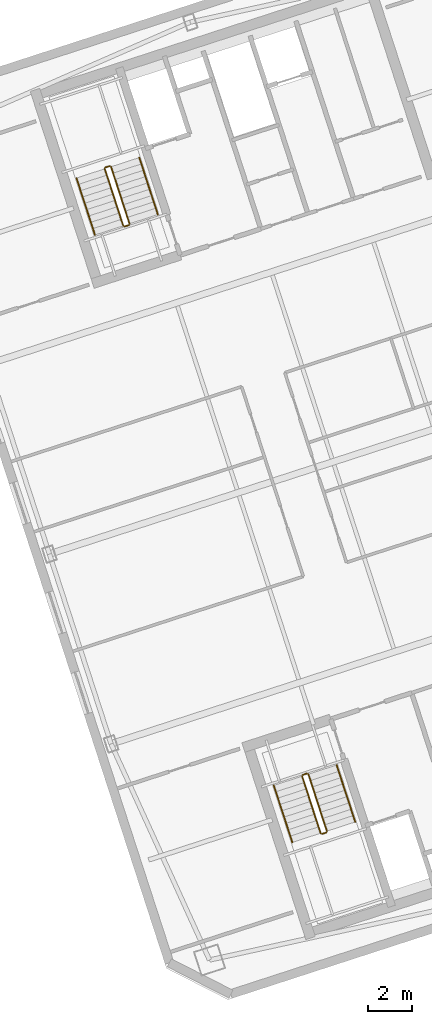
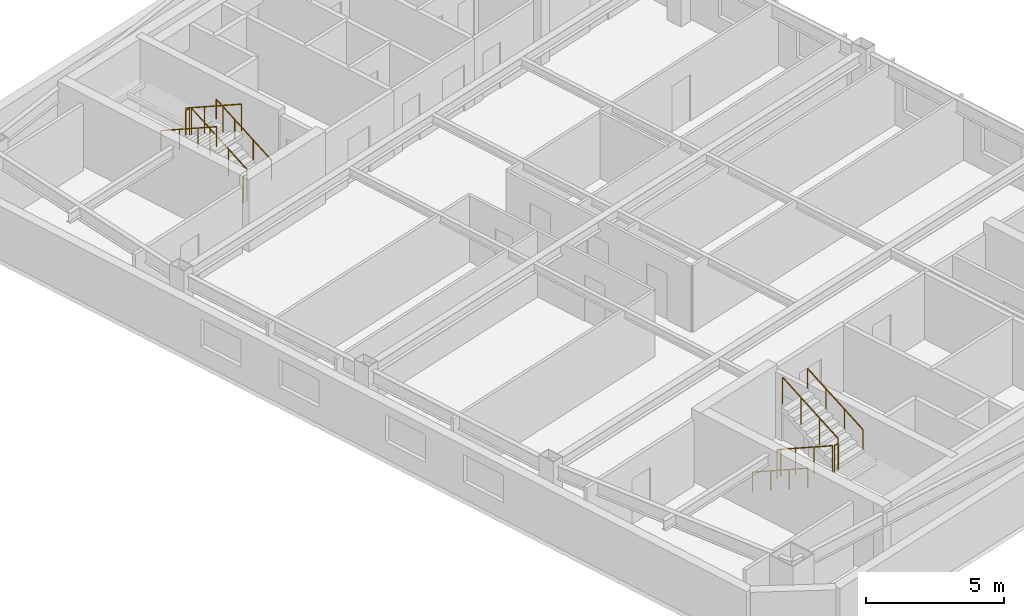
# One storey, part 13 of 13: 12 railings.
"""IFC4 building model written with IfcOpenShell, lengths in metres."""

from ifc_helpers import new_model, si_unit, direction, frame, origin, origin_2d, place, context, subcontext, project, spatial, circle, extrude, material, type_object, element, save


model = new_model("IFC4")

# Units and contexts
model_context = context("Model", 3, precision=1e-05, world=origin(), true_north=direction((0.0, 1.0)))
body_context = subcontext(model_context, "Body", "Model", "MODEL_VIEW")
ifc_project = project(units=[si_unit("LENGTHUNIT", "METRE"), si_unit("AREAUNIT", "SQUARE_METRE"), si_unit("VOLUMEUNIT", "CUBIC_METRE"), si_unit("PLANEANGLEUNIT", "RADIAN"), si_unit("MASSUNIT", "GRAM", prefix="KILO")], contexts=[model_context])

# Site, building, storey
site_placement = place(None, origin())
site = spatial("IfcSite", under=ifc_project, at=site_placement, CompositionType="ELEMENT")
building_placement = place(site_placement, origin())
building = spatial("IfcBuilding", under=site, at=building_placement, Name="Qiaolan Cultural Towers", CompositionType="ELEMENT")
storey_placement = place(building_placement, frame((0.0, 0.0, 234.39990234375)))
storey = spatial("IfcBuildingStorey", under=building, at=storey_placement, Name="L63", CompositionType="ELEMENT", Elevation=234.39990234375)

# Railings
ifc_material_1 = material(Name="Galvanized Painted Steel Stair Guardrail", Category="steel")
railing_type_1 = type_object("IfcRailingType", Name="RL-STAIR-GRD", PredefinedType="GUARDRAIL", material=ifc_material_1)
railing_1_placement = place(storey_placement, frame((88.60205078125, 19.82421875, 0.16015625)))
element("IfcRailing", 1, at=railing_1_placement, inside=storey, type_object=railing_type_1, Name="L63 ST-E1 stair guard 1", PredefinedType="GUARDRAIL", context=body_context, shape_type="SweptSolid", body=[
    extrude(circle(Radius=0.02392578125, at=origin_2d()), frame((0.0, 0.0, 1.17578125), z_axis=(0.272701475514, -0.839167384275, 0.470565623926), x_axis=(0.951043371037, 0.309057448393, 0.0)), (0.0, 0.0, 1.0), 3.06005859375),
    extrude(circle(Radius=0.02099609375, at=origin_2d()), origin(), (0.0, 0.0, 1.0), 1.15185546875),
    extrude(circle(Radius=0.02099609375, at=origin_2d()), frame((0.278076171875, -0.85595703125, 0.47998046875)), (0.0, 0.0, 1.0), 1.15185546875),
    extrude(circle(Radius=0.02099609375, at=origin_2d()), frame((0.556396484375, -1.7119140625, 0.9599609375)), (0.0, 0.0, 1.0), 1.15185546875),
    extrude(circle(Radius=0.02099609375, at=origin_2d()), frame((0.83447265625, -2.56787109375, 1.43994140625)), (0.0, 0.0, 1.0), 1.15185546875),
])
railing_2_placement = place(storey_placement, frame((89.49951171875, 17.224365234375, 1.60009765625)))
element("IfcRailing", 2, at=railing_2_placement, inside=storey, type_object=railing_type_1, Name="L63 ST-E1 stair guard 2", PredefinedType="GUARDRAIL", context=body_context, shape_type="SweptSolid", body=[
    extrude(circle(Radius=0.02392578125, at=origin_2d()), frame((0.0, 0.0, 1.17578125), z_axis=(0.951096855055, 0.308892816854, 0.0), x_axis=(-0.308892816854, 0.951096855055, 0.0)), (0.0, 0.0, 1.0), 0.199951171875),
    extrude(circle(Radius=0.02099609375, at=origin_2d()), origin(), (0.0, 0.0, 1.0), 1.15185546875),
    extrude(circle(Radius=0.02099609375, at=origin_2d()), frame((0.190185546875, 0.061767578125, 0.0)), (0.0, 0.0, 1.0), 1.15185546875),
])
railing_3_placement = place(storey_placement, frame((89.721923828125, 17.34912109375, 1.760009765625)))
element("IfcRailing", 3, at=railing_3_placement, inside=storey, type_object=railing_type_1, Name="L63 ST-E1 stair guard 3", PredefinedType="GUARDRAIL", context=body_context, shape_type="SweptSolid", body=[
    extrude(circle(Radius=0.02392578125, at=origin_2d()), frame((0.0, 0.0, 1.17578125), z_axis=(-0.272691237034, 0.839135878035, 0.470627737643), x_axis=(-0.951043371037, -0.309057448393, 0.0)), (0.0, 0.0, 1.0), 3.06005859375),
    extrude(circle(Radius=0.02099609375, at=origin_2d()), origin(), (0.0, 0.0, 1.0), 1.15185546875),
    extrude(circle(Radius=0.02099609375, at=origin_2d()), frame((-0.278076171875, 0.85595703125, 0.47998046875)), (0.0, 0.0, 1.0), 1.15185546875),
    extrude(circle(Radius=0.02099609375, at=origin_2d()), frame((-0.556396484375, 1.7119140625, 0.960205078125)), (0.0, 0.0, 1.0), 1.15185546875),
    extrude(circle(Radius=0.02099609375, at=origin_2d()), frame((-0.83447265625, 2.56787109375, 1.440185546875)), (0.0, 0.0, 1.0), 1.15185546875),
])
railing_4_placement = place(storey_placement, frame((88.63427734375, 19.88720703125, 0.0)))
element("IfcRailing", 4, at=railing_4_placement, inside=storey, type_object=railing_type_1, Name="L63 ST-E1 stair guard 4", PredefinedType="GUARDRAIL", context=body_context, shape_type="SweptSolid", body=[
    extrude(circle(Radius=0.02392578125, at=origin_2d()), frame((0.0, 0.0, 1.17578125), z_axis=(0.951096855055, 0.308892816854, 0.0), x_axis=(-0.308892816854, 0.951096855055, 0.0)), (0.0, 0.0, 1.0), 0.199951171875),
    extrude(circle(Radius=0.02099609375, at=origin_2d()), origin(), (0.0, 0.0, 1.0), 1.15185546875),
    extrude(circle(Radius=0.02099609375, at=origin_2d()), frame((0.190185546875, 0.061767578125, 0.0)), (0.0, 0.0, 1.0), 1.15185546875),
])
railing_5_placement = place(storey_placement, frame((80.822021484375, 44.739501953125, 0.16015625)))
element("IfcRailing", 5, at=railing_5_placement, inside=storey, type_object=railing_type_1, Name="L63 ST-E2 stair guard 1", PredefinedType="GUARDRAIL", context=body_context, shape_type="SweptSolid", body=[
    extrude(circle(Radius=0.02392578125, at=origin_2d()), frame((0.0, 0.0, 1.17578125), z_axis=(-0.272627622392, 0.839185640129, 0.470575860951), x_axis=(-0.951069945308, -0.308975661068, 0.0)), (0.0, 0.0, 1.0), 3.06005859375),
    extrude(circle(Radius=0.02099609375, at=origin_2d()), origin(), (0.0, 0.0, 1.0), 1.15185546875),
    extrude(circle(Radius=0.02099609375, at=origin_2d()), frame((-0.278076171875, 0.85595703125, 0.47998046875)), (0.0, 0.0, 1.0), 1.15185546875),
    extrude(circle(Radius=0.02099609375, at=origin_2d()), frame((-0.55615234375, 1.7119140625, 0.9599609375)), (0.0, 0.0, 1.0), 1.15185546875),
    extrude(circle(Radius=0.02099609375, at=origin_2d()), frame((-0.834228515625, 2.56787109375, 1.43994140625)), (0.0, 0.0, 1.0), 1.15185546875),
])
railing_6_placement = place(storey_placement, frame((79.9248046875, 47.33935546875, 1.60009765625)))
element("IfcRailing", 6, at=railing_6_placement, inside=storey, type_object=railing_type_1, Name="L63 ST-E2 stair guard 2", PredefinedType="GUARDRAIL", context=body_context, shape_type="SweptSolid", body=[
    extrude(circle(Radius=0.02392578125, at=origin_2d()), frame((0.0, 0.0, 1.17578125), z_axis=(-0.951096855055, -0.308892816854, 0.0), x_axis=(0.308892816854, -0.951096855055, 0.0)), (0.0, 0.0, 1.0), 0.199951171875),
    extrude(circle(Radius=0.02099609375, at=origin_2d()), origin(), (0.0, 0.0, 1.0), 1.15185546875),
    extrude(circle(Radius=0.02099609375, at=origin_2d()), frame((-0.190185546875, -0.061767578125, 0.0)), (0.0, 0.0, 1.0), 1.15185546875),
])
railing_7_placement = place(storey_placement, frame((79.702392578125, 47.214599609375, 1.760009765625)))
element("IfcRailing", 7, at=railing_7_placement, inside=storey, type_object=railing_type_1, Name="L63 ST-E2 stair guard 3", PredefinedType="GUARDRAIL", context=body_context, shape_type="SweptSolid", body=[
    extrude(circle(Radius=0.02392578125, at=origin_2d()), frame((0.0, 0.0, 1.17578125), z_axis=(0.272691237034, -0.839135878035, 0.470627737643), x_axis=(0.951043371037, 0.309057448393, 0.0)), (0.0, 0.0, 1.0), 3.06005859375),
    extrude(circle(Radius=0.02099609375, at=origin_2d()), origin(), (0.0, 0.0, 1.0), 1.15185546875),
    extrude(circle(Radius=0.02099609375, at=origin_2d()), frame((0.278076171875, -0.85595703125, 0.47998046875)), (0.0, 0.0, 1.0), 1.15185546875),
    extrude(circle(Radius=0.02099609375, at=origin_2d()), frame((0.556396484375, -1.7119140625, 0.960205078125)), (0.0, 0.0, 1.0), 1.15185546875),
    extrude(circle(Radius=0.02099609375, at=origin_2d()), frame((0.83447265625, -2.56787109375, 1.440185546875)), (0.0, 0.0, 1.0), 1.15185546875),
])
railing_8_placement = place(storey_placement, frame((80.7900390625, 44.676513671875, 0.0)))
element("IfcRailing", 8, at=railing_8_placement, inside=storey, type_object=railing_type_1, Name="L63 ST-E2 stair guard 4", PredefinedType="GUARDRAIL", context=body_context, shape_type="SweptSolid", body=[
    extrude(circle(Radius=0.02392578125, at=origin_2d()), frame((0.0, 0.0, 1.17578125), z_axis=(-0.951096855055, -0.308892816854, 0.0), x_axis=(0.308892816854, -0.951096855055, 0.0)), (0.0, 0.0, 1.0), 0.199951171875),
    extrude(circle(Radius=0.02099609375, at=origin_2d()), origin(), (0.0, 0.0, 1.0), 1.15185546875),
    extrude(circle(Radius=0.02099609375, at=origin_2d()), frame((-0.190185546875, -0.061767578125, 0.0)), (0.0, 0.0, 1.0), 1.15185546875),
])
ifc_material_2 = material(Name="Stainless Steel S30408 Tubular Handrail", Category="steel")
railing_type_2 = type_object("IfcRailingType", Name="RL-STAIR-HR", PredefinedType="HANDRAIL", material=ifc_material_2)
railing_9_placement = place(storey_placement, frame((87.32763671875, 19.41015625, 0.16015625)))
element("IfcRailing", 9, at=railing_9_placement, inside=storey, type_object=railing_type_2, Name="L63 ST-E1 stair handrail 1", PredefinedType="HANDRAIL", context=body_context, shape_type="SweptSolid", body=[
    extrude(circle(Radius=0.02392578125, at=origin_2d()), frame((0.0, 0.0, 0.8759765625), z_axis=(0.272701475514, -0.839167384275, 0.470565623926), x_axis=(0.951043371037, 0.309057448393, 0.0)), (0.0, 0.0, 1.0), 3.06005859375),
    extrude(circle(Radius=0.02099609375, at=origin_2d()), origin(), (0.0, 0.0, 1.0), 0.851806640625),
    extrude(circle(Radius=0.02099609375, at=origin_2d()), frame((0.278076171875, -0.85595703125, 0.47998046875)), (0.0, 0.0, 1.0), 0.851806640625),
    extrude(circle(Radius=0.02099609375, at=origin_2d()), frame((0.556396484375, -1.7119140625, 0.9599609375)), (0.0, 0.0, 1.0), 0.851806640625),
    extrude(circle(Radius=0.02099609375, at=origin_2d()), frame((0.83447265625, -2.56787109375, 1.43994140625)), (0.0, 0.0, 1.0), 0.851806640625),
])
railing_10_placement = place(storey_placement, frame((90.996337890625, 17.76318359375, 1.760009765625)))
element("IfcRailing", 10, at=railing_10_placement, inside=storey, type_object=railing_type_2, Name="L63 ST-E1 stair handrail 2", PredefinedType="HANDRAIL", context=body_context, shape_type="SweptSolid", body=[
    extrude(circle(Radius=0.02392578125, at=origin_2d()), frame((0.0, 0.0, 0.8759765625), z_axis=(-0.272691237034, 0.839135878035, 0.470627737643), x_axis=(-0.951043371037, -0.309057448393, 0.0)), (0.0, 0.0, 1.0), 3.06005859375),
    extrude(circle(Radius=0.02099609375, at=origin_2d()), origin(), (0.0, 0.0, 1.0), 0.851806640625),
    extrude(circle(Radius=0.02099609375, at=origin_2d()), frame((-0.278076171875, 0.85595703125, 0.47998046875)), (0.0, 0.0, 1.0), 0.851806640625),
    extrude(circle(Radius=0.02099609375, at=origin_2d()), frame((-0.556396484375, 1.7119140625, 0.960205078125)), (0.0, 0.0, 1.0), 0.851806640625),
    extrude(circle(Radius=0.02099609375, at=origin_2d()), frame((-0.83447265625, 2.56787109375, 1.440185546875)), (0.0, 0.0, 1.0), 0.851806640625),
])
railing_11_placement = place(storey_placement, frame((82.096435546875, 45.153564453125, 0.16015625)))
element("IfcRailing", 11, at=railing_11_placement, inside=storey, type_object=railing_type_2, Name="L63 ST-E2 stair handrail 1", PredefinedType="HANDRAIL", context=body_context, shape_type="SweptSolid", body=[
    extrude(circle(Radius=0.02392578125, at=origin_2d()), frame((0.0, 0.0, 0.8759765625), z_axis=(-0.272627622392, 0.839185640129, 0.470575860951), x_axis=(-0.951069945308, -0.308975661068, 0.0)), (0.0, 0.0, 1.0), 3.06005859375),
    extrude(circle(Radius=0.02099609375, at=origin_2d()), origin(), (0.0, 0.0, 1.0), 0.851806640625),
    extrude(circle(Radius=0.02099609375, at=origin_2d()), frame((-0.278076171875, 0.85595703125, 0.47998046875)), (0.0, 0.0, 1.0), 0.851806640625),
    extrude(circle(Radius=0.02099609375, at=origin_2d()), frame((-0.55615234375, 1.7119140625, 0.9599609375)), (0.0, 0.0, 1.0), 0.851806640625),
    extrude(circle(Radius=0.02099609375, at=origin_2d()), frame((-0.834228515625, 2.56787109375, 1.43994140625)), (0.0, 0.0, 1.0), 0.851806640625),
])
railing_12_placement = place(storey_placement, frame((78.427978515625, 46.800537109375, 1.760009765625)))
element("IfcRailing", 12, at=railing_12_placement, inside=storey, type_object=railing_type_2, Name="L63 ST-E2 stair handrail 2", PredefinedType="HANDRAIL", context=body_context, shape_type="SweptSolid", body=[
    extrude(circle(Radius=0.02392578125, at=origin_2d()), frame((0.0, 0.0, 0.8759765625), z_axis=(0.272691237034, -0.839135878035, 0.470627737643), x_axis=(0.951043371037, 0.309057448393, 0.0)), (0.0, 0.0, 1.0), 3.06005859375),
    extrude(circle(Radius=0.02099609375, at=origin_2d()), origin(), (0.0, 0.0, 1.0), 0.851806640625),
    extrude(circle(Radius=0.02099609375, at=origin_2d()), frame((0.278076171875, -0.85595703125, 0.47998046875)), (0.0, 0.0, 1.0), 0.851806640625),
    extrude(circle(Radius=0.02099609375, at=origin_2d()), frame((0.556396484375, -1.7119140625, 0.960205078125)), (0.0, 0.0, 1.0), 0.851806640625),
    extrude(circle(Radius=0.02099609375, at=origin_2d()), frame((0.83447265625, -2.56787109375, 1.440185546875)), (0.0, 0.0, 1.0), 0.851806640625),
])

save(model, "model.ifc")
